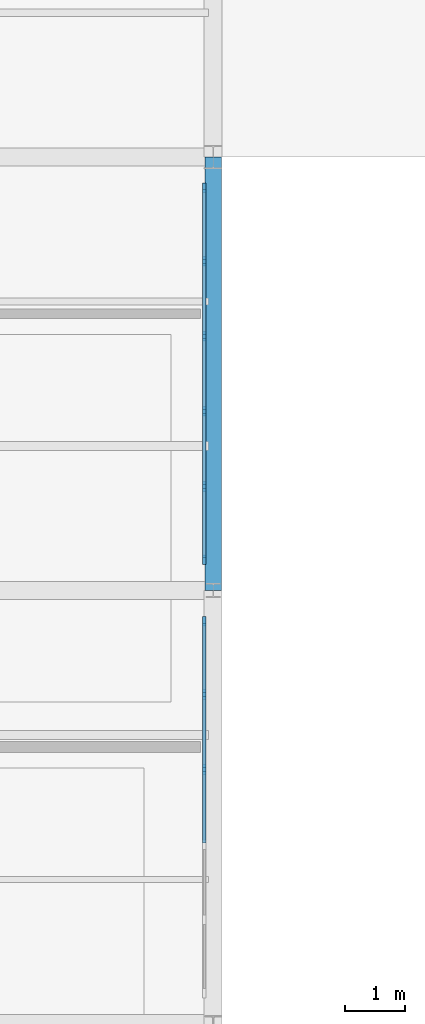
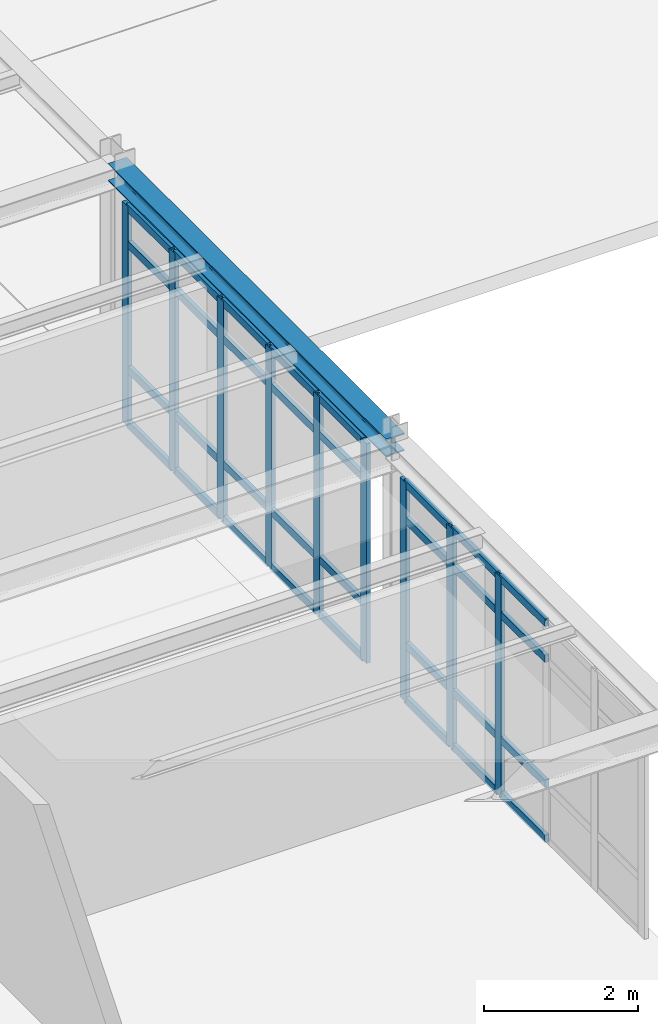
# One storey, part 30 of 70: 41 members, 1 beam, 2 elements without a shape of their own.
"""IFC4 building model written with IfcOpenShell, lengths in metres."""

from ifc_helpers import new_model, si_unit, derived_unit, direction, frame, origin, origin_2d, place, context, subcontext, project, spatial, rectangle, i_section, extrude, material, layer, layer_set, material_profile, profile_set, type_object, element, aggregate, save


model = new_model("IFC4")

# Units and contexts
model_context = context("Model", 3, precision=1e-05, world=origin(), true_north=direction((0.0, 1.0)))
body_context = subcontext(model_context, "Body", "Model", "MODEL_VIEW")
ifc_project = project(units=[si_unit("LENGTHUNIT", "METRE"), si_unit("AREAUNIT", "SQUARE_METRE"), si_unit("VOLUMEUNIT", "CUBIC_METRE"), si_unit("PLANEANGLEUNIT", "RADIAN"), si_unit("MASSUNIT", "GRAM", prefix="KILO"), derived_unit("THERMALTRANSMITTANCEUNIT", [(si_unit("POWERUNIT", "WATT"), 1), (si_unit("AREAUNIT", "SQUARE_METRE"), -1), (si_unit("THERMODYNAMICTEMPERATUREUNIT", "KELVIN"), -1)])], contexts=[model_context])

# Site, building, storey
site_placement = place(None, origin())
site = spatial("IfcSite", under=ifc_project, at=site_placement, CompositionType="ELEMENT")
building_placement = place(site_placement, origin())
building = spatial("IfcBuilding", under=site, at=building_placement, Name="Yasenodar Specialist Clinic", CompositionType="ELEMENT")
storey_placement = place(building_placement, frame((0.0, 0.0, 13.199951171875)))
storey = spatial("IfcBuildingStorey", under=building, at=storey_placement, Name="L03", CompositionType="ELEMENT", Elevation=13.199951171875)

# Beam
ifc_material_1 = material(Name="Steel S355", Category="steel")
ifc_material_profile_1 = material_profile(ifc_material_1, i_section(OverallWidth=0.280029296875, OverallDepth=0.280029296875, WebThickness=0.010498046875, FlangeThickness=0.01806640625, FilletRadius=0.02392578125, at=origin_2d()), Name="HEB 280")
ifc_profile_set_1 = profile_set([ifc_material_profile_1], Name="Steel S355")
beam_type = type_object("IfcBeamType", Name="BM-HEB280", PredefinedType="BEAM", material=ifc_profile_set_1)
beam_placement = place(storey_placement, frame((16.800048828125, 90.0, 3.66015625), z_axis=(0.0, 1.0, 0.0), x_axis=(-1.0, 0.0, 0.0)))
element("IfcBeam", 1, at=beam_placement, inside=storey, type_object=beam_type, Name="L03 Primary N-S Girder", PredefinedType="BEAM", context=body_context, shape_type="SweptSolid", body=[
    extrude(i_section(OverallWidth=0.280029296875, OverallDepth=0.280029296875, WebThickness=0.010498046875, FlangeThickness=0.01806640625, FilletRadius=0.02392578125, at=origin_2d()), origin(), (0.0, 0.0, 1.0), 7.199951171875),
])

# Curtain wall, members
ifc_material_2 = material(Name="Bronze Anodized Aluminium and Triple Low-E Glass", Category="aluminium")
ifc_layer = layer(ifc_material_2, 0.202880859375)
ifc_layer_set = layer_set([ifc_layer], Name="Bronze Anodized Aluminium and Triple Low-E Glass")
curtain_wall_type = type_object("IfcCurtainWallType", Name="CW-SYS-04", PredefinedType="USERDEFINED", material=ifc_layer_set)
curtain_wall_1_placement = place(storey_placement, origin())
curtain_wall_1 = element("IfcCurtainWall", 2, at=curtain_wall_1_placement, inside=storey, type_object=curtain_wall_type, Name="L03 Unitised Curtain Wall 131", ObjectType="UNITISED CURTAIN WALL", PredefinedType="USERDEFINED")
ifc_material_3 = material(Name="Bronze Anodized Aluminium", Category="aluminium")
ifc_material_profile_2 = material_profile(ifc_material_3, rectangle(XDim=0.06005859375, YDim=0.159912109375, at=origin_2d()), Name="CW-MULL 60x160")
ifc_profile_set_2 = profile_set([ifc_material_profile_2], Name="Bronze Anodized Aluminium")
member_type_1 = type_object("IfcMemberType", Name="CW-MULL-160", PredefinedType="MULLION", material=ifc_profile_set_2)
member_1_placement = place(storey_placement, frame((16.64990234375, 96.68994140625, 0.0), z_axis=(0.0, 0.0, 1.0), x_axis=(1.0, 0.0, 0.0)))
member_1 = element("IfcMember", 3, at=member_1_placement, type_object=member_type_1, Name="CW-04 mullion 1", PredefinedType="MULLION", context=body_context, shape_type="SweptSolid", body=[
    extrude(rectangle(XDim=0.06005859375, YDim=0.159912109375, at=origin_2d()), origin(), (0.0, 0.0, 1.0), 3.47802734375),
])
member_2_placement = place(storey_placement, frame((16.64990234375, 95.471923828125, 0.0), z_axis=(0.0, 0.0, 1.0), x_axis=(1.0, 0.0, 0.0)))
member_2 = element("IfcMember", 4, at=member_2_placement, type_object=member_type_1, Name="CW-04 mullion 2", PredefinedType="MULLION", context=body_context, shape_type="SweptSolid", body=[
    extrude(rectangle(XDim=0.06005859375, YDim=0.159912109375, at=origin_2d()), origin(), (0.0, 0.0, 1.0), 3.47802734375),
])
member_3_placement = place(storey_placement, frame((16.64990234375, 94.22412109375, 0.0), z_axis=(0.0, 0.0, 1.0), x_axis=(1.0, 0.0, 0.0)))
member_3 = element("IfcMember", 5, at=member_3_placement, type_object=member_type_1, Name="CW-04 mullion 3", PredefinedType="MULLION", context=body_context, shape_type="SweptSolid", body=[
    extrude(rectangle(XDim=0.06005859375, YDim=0.159912109375, at=origin_2d()), origin(), (0.0, 0.0, 1.0), 3.47802734375),
])
member_4_placement = place(storey_placement, frame((16.64990234375, 92.97607421875, 0.0), z_axis=(0.0, 0.0, 1.0), x_axis=(1.0, 0.0, 0.0)))
member_4 = element("IfcMember", 6, at=member_4_placement, type_object=member_type_1, Name="CW-04 mullion 4", PredefinedType="MULLION", context=body_context, shape_type="SweptSolid", body=[
    extrude(rectangle(XDim=0.06005859375, YDim=0.159912109375, at=origin_2d()), origin(), (0.0, 0.0, 1.0), 3.47802734375),
])
member_5_placement = place(storey_placement, frame((16.64990234375, 91.72802734375, 0.0), z_axis=(0.0, 0.0, 1.0), x_axis=(1.0, 0.0, 0.0)))
member_5 = element("IfcMember", 7, at=member_5_placement, type_object=member_type_1, Name="CW-04 mullion 5", PredefinedType="MULLION", context=body_context, shape_type="SweptSolid", body=[
    extrude(rectangle(XDim=0.06005859375, YDim=0.159912109375, at=origin_2d()), origin(), (0.0, 0.0, 1.0), 3.47802734375),
])
member_6_placement = place(storey_placement, frame((16.64990234375, 90.510009765625, 0.0), z_axis=(0.0, 0.0, 1.0), x_axis=(1.0, 0.0, 0.0)))
member_6 = element("IfcMember", 8, at=member_6_placement, type_object=member_type_1, Name="CW-04 mullion 6", PredefinedType="MULLION", context=body_context, shape_type="SweptSolid", body=[
    extrude(rectangle(XDim=0.06005859375, YDim=0.159912109375, at=origin_2d()), origin(), (0.0, 0.0, 1.0), 3.47802734375),
])

curtain_wall_2_placement = place(storey_placement, origin())
curtain_wall_2 = element("IfcCurtainWall", 9, at=curtain_wall_2_placement, inside=storey, type_object=curtain_wall_type, Name="L03 Unitised Curtain Wall 132", ObjectType="UNITISED CURTAIN WALL", PredefinedType="USERDEFINED")
member_7_placement = place(storey_placement, frame((16.64990234375, 89.489990234375, 0.0), z_axis=(0.0, 0.0, 1.0), x_axis=(1.0, 0.0, 0.0)))
member_7 = element("IfcMember", 10, at=member_7_placement, type_object=member_type_1, Name="CW-04 mullion 1", PredefinedType="MULLION", context=body_context, shape_type="SweptSolid", body=[
    extrude(rectangle(XDim=0.06005859375, YDim=0.159912109375, at=origin_2d()), origin(), (0.0, 0.0, 1.0), 3.47802734375),
])
member_8_placement = place(storey_placement, frame((16.64990234375, 88.27197265625, 0.0), z_axis=(0.0, 0.0, 1.0), x_axis=(1.0, 0.0, 0.0)))
member_8 = element("IfcMember", 11, at=member_8_placement, type_object=member_type_1, Name="CW-04 mullion 2", PredefinedType="MULLION", context=body_context, shape_type="SweptSolid", body=[
    extrude(rectangle(XDim=0.06005859375, YDim=0.159912109375, at=origin_2d()), origin(), (0.0, 0.0, 1.0), 3.47802734375),
])
member_9_placement = place(storey_placement, frame((16.64990234375, 87.02392578125, 0.0), z_axis=(0.0, 0.0, 1.0), x_axis=(1.0, 0.0, 0.0)))
member_9 = element("IfcMember", 12, at=member_9_placement, type_object=member_type_1, Name="CW-04 mullion 3", PredefinedType="MULLION", context=body_context, shape_type="SweptSolid", body=[
    extrude(rectangle(XDim=0.06005859375, YDim=0.159912109375, at=origin_2d()), origin(), (0.0, 0.0, 1.0), 3.47802734375),
])

# Member
ifc_material_profile_3 = material_profile(ifc_material_3, rectangle(XDim=0.06005859375, YDim=0.1201171875, at=origin_2d()), Name="CW-TRAN 60x120")
ifc_profile_set_3 = profile_set([ifc_material_profile_3], Name="Bronze Anodized Aluminium")
member_type_2 = type_object("IfcMemberType", Name="CW-TRAN-120", PredefinedType="USERDEFINED", material=ifc_profile_set_3)
member_10_placement = place(storey_placement, frame((16.64990234375, 96.659912109375, 0.030029296875), z_axis=(0.0, -1.0, 0.0), x_axis=(1.0, 0.0, 0.0)))
member_10 = element("IfcMember", 13, at=member_10_placement, type_object=member_type_2, Name="CW-04 transom 1.1", ObjectType="TRANSOM", PredefinedType="USERDEFINED", context=body_context, shape_type="SweptSolid", body=[
    extrude(rectangle(XDim=0.06005859375, YDim=0.1201171875, at=origin_2d()), origin(), (0.0, 0.0, 1.0), 1.157958984375),
])

member_11_placement = place(storey_placement, frame((16.64990234375, 96.659912109375, 0.900146484375), z_axis=(0.0, -1.0, 0.0), x_axis=(1.0, 0.0, 0.0)))
member_11 = element("IfcMember", 14, at=member_11_placement, type_object=member_type_2, Name="CW-04 transom 1.2", ObjectType="TRANSOM", PredefinedType="USERDEFINED", context=body_context, shape_type="SweptSolid", body=[
    extrude(rectangle(XDim=0.06005859375, YDim=0.1201171875, at=origin_2d()), origin(), (0.0, 0.0, 1.0), 1.157958984375),
])

member_12_placement = place(storey_placement, frame((16.64990234375, 96.659912109375, 2.8779296875), z_axis=(0.0, -1.0, 0.0), x_axis=(1.0, 0.0, 0.0)))
member_12 = element("IfcMember", 15, at=member_12_placement, type_object=member_type_2, Name="CW-04 transom 1.3", ObjectType="TRANSOM", PredefinedType="USERDEFINED", context=body_context, shape_type="SweptSolid", body=[
    extrude(rectangle(XDim=0.06005859375, YDim=0.1201171875, at=origin_2d()), origin(), (0.0, 0.0, 1.0), 1.157958984375),
])

member_13_placement = place(storey_placement, frame((16.64990234375, 96.659912109375, 3.447998046875), z_axis=(0.0, -1.0, 0.0), x_axis=(1.0, 0.0, 0.0)))
member_13 = element("IfcMember", 16, at=member_13_placement, type_object=member_type_2, Name="CW-04 transom 1.4", ObjectType="TRANSOM", PredefinedType="USERDEFINED", context=body_context, shape_type="SweptSolid", body=[
    extrude(rectangle(XDim=0.06005859375, YDim=0.1201171875, at=origin_2d()), origin(), (0.0, 0.0, 1.0), 1.157958984375),
])

member_14_placement = place(storey_placement, frame((16.64990234375, 95.44189453125, 0.030029296875), z_axis=(0.0, -1.0, 0.0), x_axis=(1.0, 0.0, 0.0)))
member_14 = element("IfcMember", 17, at=member_14_placement, type_object=member_type_2, Name="CW-04 transom 2.1", ObjectType="TRANSOM", PredefinedType="USERDEFINED", context=body_context, shape_type="SweptSolid", body=[
    extrude(rectangle(XDim=0.06005859375, YDim=0.1201171875, at=origin_2d()), origin(), (0.0, 0.0, 1.0), 1.18798828125),
])

member_15_placement = place(storey_placement, frame((16.64990234375, 95.44189453125, 0.900146484375), z_axis=(0.0, -1.0, 0.0), x_axis=(1.0, 0.0, 0.0)))
member_15 = element("IfcMember", 18, at=member_15_placement, type_object=member_type_2, Name="CW-04 transom 2.2", ObjectType="TRANSOM", PredefinedType="USERDEFINED", context=body_context, shape_type="SweptSolid", body=[
    extrude(rectangle(XDim=0.06005859375, YDim=0.1201171875, at=origin_2d()), origin(), (0.0, 0.0, 1.0), 1.18798828125),
])

member_16_placement = place(storey_placement, frame((16.64990234375, 95.44189453125, 2.8779296875), z_axis=(0.0, -1.0, 0.0), x_axis=(1.0, 0.0, 0.0)))
member_16 = element("IfcMember", 19, at=member_16_placement, type_object=member_type_2, Name="CW-04 transom 2.3", ObjectType="TRANSOM", PredefinedType="USERDEFINED", context=body_context, shape_type="SweptSolid", body=[
    extrude(rectangle(XDim=0.06005859375, YDim=0.1201171875, at=origin_2d()), origin(), (0.0, 0.0, 1.0), 1.18798828125),
])

member_17_placement = place(storey_placement, frame((16.64990234375, 95.44189453125, 3.447998046875), z_axis=(0.0, -1.0, 0.0), x_axis=(1.0, 0.0, 0.0)))
member_17 = element("IfcMember", 20, at=member_17_placement, type_object=member_type_2, Name="CW-04 transom 2.4", ObjectType="TRANSOM", PredefinedType="USERDEFINED", context=body_context, shape_type="SweptSolid", body=[
    extrude(rectangle(XDim=0.06005859375, YDim=0.1201171875, at=origin_2d()), origin(), (0.0, 0.0, 1.0), 1.18798828125),
])

member_18_placement = place(storey_placement, frame((16.64990234375, 94.194091796875, 0.030029296875), z_axis=(0.0, -1.0, 0.0), x_axis=(1.0, 0.0, 0.0)))
member_18 = element("IfcMember", 21, at=member_18_placement, type_object=member_type_2, Name="CW-04 transom 3.1", ObjectType="TRANSOM", PredefinedType="USERDEFINED", context=body_context, shape_type="SweptSolid", body=[
    extrude(rectangle(XDim=0.06005859375, YDim=0.1201171875, at=origin_2d()), origin(), (0.0, 0.0, 1.0), 1.18798828125),
])

member_19_placement = place(storey_placement, frame((16.64990234375, 94.194091796875, 0.900146484375), z_axis=(0.0, -1.0, 0.0), x_axis=(1.0, 0.0, 0.0)))
member_19 = element("IfcMember", 22, at=member_19_placement, type_object=member_type_2, Name="CW-04 transom 3.2", ObjectType="TRANSOM", PredefinedType="USERDEFINED", context=body_context, shape_type="SweptSolid", body=[
    extrude(rectangle(XDim=0.06005859375, YDim=0.1201171875, at=origin_2d()), origin(), (0.0, 0.0, 1.0), 1.18798828125),
])

member_20_placement = place(storey_placement, frame((16.64990234375, 94.194091796875, 2.8779296875), z_axis=(0.0, -1.0, 0.0), x_axis=(1.0, 0.0, 0.0)))
member_20 = element("IfcMember", 23, at=member_20_placement, type_object=member_type_2, Name="CW-04 transom 3.3", ObjectType="TRANSOM", PredefinedType="USERDEFINED", context=body_context, shape_type="SweptSolid", body=[
    extrude(rectangle(XDim=0.06005859375, YDim=0.1201171875, at=origin_2d()), origin(), (0.0, 0.0, 1.0), 1.18798828125),
])

member_21_placement = place(storey_placement, frame((16.64990234375, 94.194091796875, 3.447998046875), z_axis=(0.0, -1.0, 0.0), x_axis=(1.0, 0.0, 0.0)))
member_21 = element("IfcMember", 24, at=member_21_placement, type_object=member_type_2, Name="CW-04 transom 3.4", ObjectType="TRANSOM", PredefinedType="USERDEFINED", context=body_context, shape_type="SweptSolid", body=[
    extrude(rectangle(XDim=0.06005859375, YDim=0.1201171875, at=origin_2d()), origin(), (0.0, 0.0, 1.0), 1.18798828125),
])

member_22_placement = place(storey_placement, frame((16.64990234375, 92.946044921875, 0.030029296875), z_axis=(0.0, -1.0, 0.0), x_axis=(1.0, 0.0, 0.0)))
member_22 = element("IfcMember", 25, at=member_22_placement, type_object=member_type_2, Name="CW-04 transom 4.1", ObjectType="TRANSOM", PredefinedType="USERDEFINED", context=body_context, shape_type="SweptSolid", body=[
    extrude(rectangle(XDim=0.06005859375, YDim=0.1201171875, at=origin_2d()), origin(), (0.0, 0.0, 1.0), 1.18798828125),
])

member_23_placement = place(storey_placement, frame((16.64990234375, 92.946044921875, 0.900146484375), z_axis=(0.0, -1.0, 0.0), x_axis=(1.0, 0.0, 0.0)))
member_23 = element("IfcMember", 26, at=member_23_placement, type_object=member_type_2, Name="CW-04 transom 4.2", ObjectType="TRANSOM", PredefinedType="USERDEFINED", context=body_context, shape_type="SweptSolid", body=[
    extrude(rectangle(XDim=0.06005859375, YDim=0.1201171875, at=origin_2d()), origin(), (0.0, 0.0, 1.0), 1.18798828125),
])

member_24_placement = place(storey_placement, frame((16.64990234375, 92.946044921875, 2.8779296875), z_axis=(0.0, -1.0, 0.0), x_axis=(1.0, 0.0, 0.0)))
member_24 = element("IfcMember", 27, at=member_24_placement, type_object=member_type_2, Name="CW-04 transom 4.3", ObjectType="TRANSOM", PredefinedType="USERDEFINED", context=body_context, shape_type="SweptSolid", body=[
    extrude(rectangle(XDim=0.06005859375, YDim=0.1201171875, at=origin_2d()), origin(), (0.0, 0.0, 1.0), 1.18798828125),
])

member_25_placement = place(storey_placement, frame((16.64990234375, 92.946044921875, 3.447998046875), z_axis=(0.0, -1.0, 0.0), x_axis=(1.0, 0.0, 0.0)))
member_25 = element("IfcMember", 28, at=member_25_placement, type_object=member_type_2, Name="CW-04 transom 4.4", ObjectType="TRANSOM", PredefinedType="USERDEFINED", context=body_context, shape_type="SweptSolid", body=[
    extrude(rectangle(XDim=0.06005859375, YDim=0.1201171875, at=origin_2d()), origin(), (0.0, 0.0, 1.0), 1.18798828125),
])

member_26_placement = place(storey_placement, frame((16.64990234375, 91.697998046875, 0.030029296875), z_axis=(0.0, -1.0, 0.0), x_axis=(1.0, 0.0, 0.0)))
member_26 = element("IfcMember", 29, at=member_26_placement, type_object=member_type_2, Name="CW-04 transom 5.1", ObjectType="TRANSOM", PredefinedType="USERDEFINED", context=body_context, shape_type="SweptSolid", body=[
    extrude(rectangle(XDim=0.06005859375, YDim=0.1201171875, at=origin_2d()), origin(), (0.0, 0.0, 1.0), 1.157958984375),
])

member_27_placement = place(storey_placement, frame((16.64990234375, 91.697998046875, 0.900146484375), z_axis=(0.0, -1.0, 0.0), x_axis=(1.0, 0.0, 0.0)))
member_27 = element("IfcMember", 30, at=member_27_placement, type_object=member_type_2, Name="CW-04 transom 5.2", ObjectType="TRANSOM", PredefinedType="USERDEFINED", context=body_context, shape_type="SweptSolid", body=[
    extrude(rectangle(XDim=0.06005859375, YDim=0.1201171875, at=origin_2d()), origin(), (0.0, 0.0, 1.0), 1.157958984375),
])

member_28_placement = place(storey_placement, frame((16.64990234375, 91.697998046875, 2.8779296875), z_axis=(0.0, -1.0, 0.0), x_axis=(1.0, 0.0, 0.0)))
member_28 = element("IfcMember", 31, at=member_28_placement, type_object=member_type_2, Name="CW-04 transom 5.3", ObjectType="TRANSOM", PredefinedType="USERDEFINED", context=body_context, shape_type="SweptSolid", body=[
    extrude(rectangle(XDim=0.06005859375, YDim=0.1201171875, at=origin_2d()), origin(), (0.0, 0.0, 1.0), 1.157958984375),
])

member_29_placement = place(storey_placement, frame((16.64990234375, 91.697998046875, 3.447998046875), z_axis=(0.0, -1.0, 0.0), x_axis=(1.0, 0.0, 0.0)))
member_29 = element("IfcMember", 32, at=member_29_placement, type_object=member_type_2, Name="CW-04 transom 5.4", ObjectType="TRANSOM", PredefinedType="USERDEFINED", context=body_context, shape_type="SweptSolid", body=[
    extrude(rectangle(XDim=0.06005859375, YDim=0.1201171875, at=origin_2d()), origin(), (0.0, 0.0, 1.0), 1.157958984375),
])

aggregate(curtain_wall_1, [member_1, member_2, member_3, member_4, member_5, member_6, member_10, member_11, member_12, member_13, member_14, member_15, member_16, member_17, member_18, member_19, member_20, member_21, member_22, member_23, member_24, member_25, member_26, member_27, member_28, member_29])

member_30_placement = place(storey_placement, frame((16.64990234375, 89.4599609375, 0.030029296875), z_axis=(0.0, -1.0, 0.0), x_axis=(1.0, 0.0, 0.0)))
member_30 = element("IfcMember", 33, at=member_30_placement, type_object=member_type_2, Name="CW-04 transom 1.1", ObjectType="TRANSOM", PredefinedType="USERDEFINED", context=body_context, shape_type="SweptSolid", body=[
    extrude(rectangle(XDim=0.06005859375, YDim=0.1201171875, at=origin_2d()), origin(), (0.0, 0.0, 1.0), 1.157958984375),
])

member_31_placement = place(storey_placement, frame((16.64990234375, 89.4599609375, 0.900146484375), z_axis=(0.0, -1.0, 0.0), x_axis=(1.0, 0.0, 0.0)))
member_31 = element("IfcMember", 34, at=member_31_placement, type_object=member_type_2, Name="CW-04 transom 1.2", ObjectType="TRANSOM", PredefinedType="USERDEFINED", context=body_context, shape_type="SweptSolid", body=[
    extrude(rectangle(XDim=0.06005859375, YDim=0.1201171875, at=origin_2d()), origin(), (0.0, 0.0, 1.0), 1.157958984375),
])

member_32_placement = place(storey_placement, frame((16.64990234375, 89.4599609375, 2.8779296875), z_axis=(0.0, -1.0, 0.0), x_axis=(1.0, 0.0, 0.0)))
member_32 = element("IfcMember", 35, at=member_32_placement, type_object=member_type_2, Name="CW-04 transom 1.3", ObjectType="TRANSOM", PredefinedType="USERDEFINED", context=body_context, shape_type="SweptSolid", body=[
    extrude(rectangle(XDim=0.06005859375, YDim=0.1201171875, at=origin_2d()), origin(), (0.0, 0.0, 1.0), 1.157958984375),
])

member_33_placement = place(storey_placement, frame((16.64990234375, 89.4599609375, 3.447998046875), z_axis=(0.0, -1.0, 0.0), x_axis=(1.0, 0.0, 0.0)))
member_33 = element("IfcMember", 36, at=member_33_placement, type_object=member_type_2, Name="CW-04 transom 1.4", ObjectType="TRANSOM", PredefinedType="USERDEFINED", context=body_context, shape_type="SweptSolid", body=[
    extrude(rectangle(XDim=0.06005859375, YDim=0.1201171875, at=origin_2d()), origin(), (0.0, 0.0, 1.0), 1.157958984375),
])

member_34_placement = place(storey_placement, frame((16.64990234375, 88.241943359375, 0.030029296875), z_axis=(0.0, -1.0, 0.0), x_axis=(1.0, 0.0, 0.0)))
member_34 = element("IfcMember", 37, at=member_34_placement, type_object=member_type_2, Name="CW-04 transom 2.1", ObjectType="TRANSOM", PredefinedType="USERDEFINED", context=body_context, shape_type="SweptSolid", body=[
    extrude(rectangle(XDim=0.06005859375, YDim=0.1201171875, at=origin_2d()), origin(), (0.0, 0.0, 1.0), 1.18798828125),
])

member_35_placement = place(storey_placement, frame((16.64990234375, 88.241943359375, 0.900146484375), z_axis=(0.0, -1.0, 0.0), x_axis=(1.0, 0.0, 0.0)))
member_35 = element("IfcMember", 38, at=member_35_placement, type_object=member_type_2, Name="CW-04 transom 2.2", ObjectType="TRANSOM", PredefinedType="USERDEFINED", context=body_context, shape_type="SweptSolid", body=[
    extrude(rectangle(XDim=0.06005859375, YDim=0.1201171875, at=origin_2d()), origin(), (0.0, 0.0, 1.0), 1.18798828125),
])

member_36_placement = place(storey_placement, frame((16.64990234375, 88.241943359375, 2.8779296875), z_axis=(0.0, -1.0, 0.0), x_axis=(1.0, 0.0, 0.0)))
member_36 = element("IfcMember", 39, at=member_36_placement, type_object=member_type_2, Name="CW-04 transom 2.3", ObjectType="TRANSOM", PredefinedType="USERDEFINED", context=body_context, shape_type="SweptSolid", body=[
    extrude(rectangle(XDim=0.06005859375, YDim=0.1201171875, at=origin_2d()), origin(), (0.0, 0.0, 1.0), 1.18798828125),
])

member_37_placement = place(storey_placement, frame((16.64990234375, 88.241943359375, 3.447998046875), z_axis=(0.0, -1.0, 0.0), x_axis=(1.0, 0.0, 0.0)))
member_37 = element("IfcMember", 40, at=member_37_placement, type_object=member_type_2, Name="CW-04 transom 2.4", ObjectType="TRANSOM", PredefinedType="USERDEFINED", context=body_context, shape_type="SweptSolid", body=[
    extrude(rectangle(XDim=0.06005859375, YDim=0.1201171875, at=origin_2d()), origin(), (0.0, 0.0, 1.0), 1.18798828125),
])

member_38_placement = place(storey_placement, frame((16.64990234375, 86.993896484375, 0.030029296875), z_axis=(0.0, -1.0, 0.0), x_axis=(1.0, 0.0, 0.0)))
member_38 = element("IfcMember", 41, at=member_38_placement, type_object=member_type_2, Name="CW-04 transom 3.1", ObjectType="TRANSOM", PredefinedType="USERDEFINED", context=body_context, shape_type="SweptSolid", body=[
    extrude(rectangle(XDim=0.06005859375, YDim=0.1201171875, at=origin_2d()), origin(), (0.0, 0.0, 1.0), 1.18798828125),
])

member_39_placement = place(storey_placement, frame((16.64990234375, 86.993896484375, 0.900146484375), z_axis=(0.0, -1.0, 0.0), x_axis=(1.0, 0.0, 0.0)))
member_39 = element("IfcMember", 42, at=member_39_placement, type_object=member_type_2, Name="CW-04 transom 3.2", ObjectType="TRANSOM", PredefinedType="USERDEFINED", context=body_context, shape_type="SweptSolid", body=[
    extrude(rectangle(XDim=0.06005859375, YDim=0.1201171875, at=origin_2d()), origin(), (0.0, 0.0, 1.0), 1.18798828125),
])

member_40_placement = place(storey_placement, frame((16.64990234375, 86.993896484375, 2.8779296875), z_axis=(0.0, -1.0, 0.0), x_axis=(1.0, 0.0, 0.0)))
member_40 = element("IfcMember", 43, at=member_40_placement, type_object=member_type_2, Name="CW-04 transom 3.3", ObjectType="TRANSOM", PredefinedType="USERDEFINED", context=body_context, shape_type="SweptSolid", body=[
    extrude(rectangle(XDim=0.06005859375, YDim=0.1201171875, at=origin_2d()), origin(), (0.0, 0.0, 1.0), 1.18798828125),
])

member_41_placement = place(storey_placement, frame((16.64990234375, 86.993896484375, 3.447998046875), z_axis=(0.0, -1.0, 0.0), x_axis=(1.0, 0.0, 0.0)))
member_41 = element("IfcMember", 44, at=member_41_placement, type_object=member_type_2, Name="CW-04 transom 3.4", ObjectType="TRANSOM", PredefinedType="USERDEFINED", context=body_context, shape_type="SweptSolid", body=[
    extrude(rectangle(XDim=0.06005859375, YDim=0.1201171875, at=origin_2d()), origin(), (0.0, 0.0, 1.0), 1.18798828125),
])

aggregate(curtain_wall_2, [member_7, member_8, member_9, member_30, member_31, member_32, member_33, member_34, member_35, member_36, member_37, member_38, member_39, member_40, member_41])

save(model, "model.ifc")
